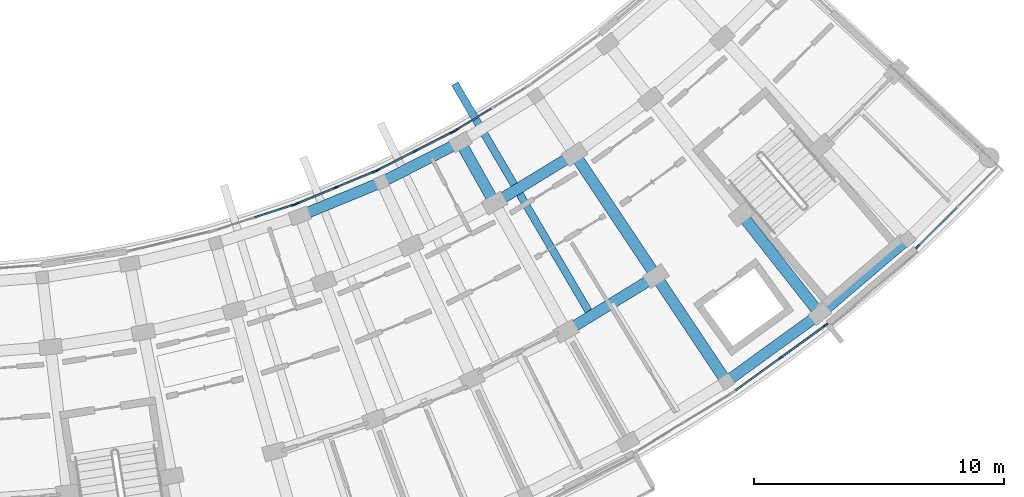
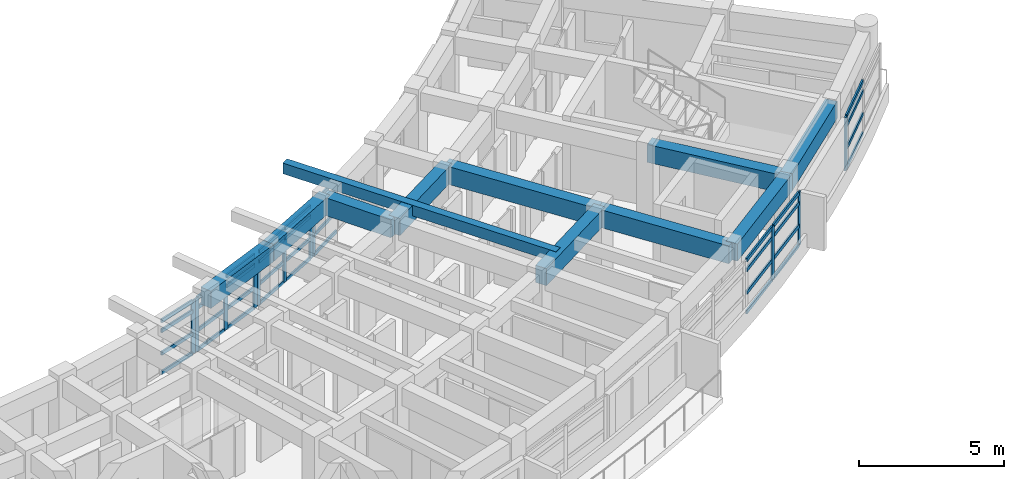
# One storey, part 29 of 70: 47 members, 11 beams, 6 elements without a shape of their own.
"""IFC4 building model written with IfcOpenShell, lengths in metres."""

import ifcopenshell
import ifcopenshell.guid

model = None  # the IFC model being written
_history = None  # IfcOwnerHistory: only IFC2X3 demands one
_inside = {}  # id of a spatial element -> (the spatial element, [elements in it])
_under = {}  # id of a project, library or spatial element -> (it, [spatial elements below it])
_declared = {}  # id of a project -> (the project, [libraries it declares])
_typed = {}  # id of a type object -> (the type object, [elements of that type])
_made_of = {}  # id of a material, layer set ... -> (it, [elements and type objects made of it])


def new_model(schema):
    """Start an empty IFC model of exactly this schema.

    Asked for "IFC4X3", IfcOpenShell would pick the latest addendum, in which some entities
    have other attributes; the version numbers below select the first issue.
    IFC2X3 requires an IfcOwnerHistory on every rooted entity: one is made here for all.
    """
    global model, _history
    if schema == "IFC4X3":
        model = ifcopenshell.file(schema_version=(4, 3, 0, 0))
    else:
        model = ifcopenshell.file(schema=schema)
    _inside.clear()
    _under.clear()
    _declared.clear()
    _typed.clear()
    _made_of.clear()
    _history = None
    if model.schema == "IFC2X3":
        org = make("IfcOrganization", Name="unknown")
        user = make(
            "IfcPersonAndOrganization",
            ThePerson=make("IfcPerson", FamilyName="unknown"),
            TheOrganization=org,
        )
        app = make(
            "IfcApplication",
            ApplicationDeveloper=org,
            Version="unknown",
            ApplicationFullName="unknown",
            ApplicationIdentifier="unknown",
        )
        _history = make(
            "IfcOwnerHistory",
            OwningUser=user,
            OwningApplication=app,
            ChangeAction="ADDED",
            CreationDate=0,
        )
    return model


def make(cls, **values):
    """One entity of the class cls with the attributes given. An attribute that is None is left unset."""
    return model.create_entity(
        cls, **{name: value for name, value in values.items() if value is not None}
    )


def rooted(cls, **values):
    """An entity with a GlobalId (a new one), such as an element, a storey or a relation."""
    return make(cls, GlobalId=ifcopenshell.guid.new(), OwnerHistory=_history, **values)


def si_unit(unit_type, name, prefix=None):
    """IfcSIUnit, for example si_unit("LENGTHUNIT", "METRE", prefix="MILLI")."""
    return make("IfcSIUnit", UnitType=unit_type, Prefix=prefix, Name=name)


def assignment(units):
    """IfcUnitAssignment: the units of a project."""
    return None if units is None else make("IfcUnitAssignment", Units=units)


def point(xyz):
    """IfcCartesianPoint."""
    return None if xyz is None else make("IfcCartesianPoint", Coordinates=xyz)


def direction(xyz):
    """IfcDirection."""
    return None if xyz is None else make("IfcDirection", DirectionRatios=xyz)


def frame(location, z_axis=None, x_axis=None):
    """IfcAxis2Placement3D, a coordinate frame: its origin and axes. An axis left out is left unset."""
    return make(
        "IfcAxis2Placement3D",
        Location=point(location),
        Axis=direction(z_axis),
        RefDirection=direction(x_axis),
    )


def frame_2d(location, x_axis=None):
    """IfcAxis2Placement2D, a coordinate frame in the plane: its origin and x axis."""
    return make(
        "IfcAxis2Placement2D", Location=point(location), RefDirection=direction(x_axis)
    )


def origin():
    """The frame at (0, 0, 0) with its axes left unset."""
    return frame((0.0, 0.0, 0.0))


def origin_2d():
    """The frame at (0, 0) in the plane with its x axis left unset."""
    return frame_2d((0.0, 0.0))


def place(relative_to, where):
    """IfcLocalPlacement: puts the frame where relative to a parent placement (None: the world)."""
    return make(
        "IfcLocalPlacement", PlacementRelTo=relative_to, RelativePlacement=where
    )


def context(
    kind, dimensions, precision=None, world=None, true_north=None, identifier=None
):
    """IfcGeometricRepresentationContext, for example the 3D "Model" context."""
    return make(
        "IfcGeometricRepresentationContext",
        ContextIdentifier=identifier,
        ContextType=kind,
        CoordinateSpaceDimension=dimensions,
        Precision=precision,
        WorldCoordinateSystem=world,
        TrueNorth=true_north,
    )


def subcontext(parent, identifier, kind, view, scale=None):
    """IfcGeometricRepresentationSubContext, for example "Body" below "Model"."""
    return make(
        "IfcGeometricRepresentationSubContext",
        ContextIdentifier=identifier,
        ContextType=kind,
        ParentContext=parent,
        TargetScale=scale,
        TargetView=view,
    )


def project(units=None, contexts=None):
    """IfcProject with its units and contexts."""
    return rooted(
        "IfcProject",
        Name="project",
        RepresentationContexts=contexts,
        UnitsInContext=assignment(units),
    )


def spatial(cls, under=None, at=None, **own):
    """A site, building, storey or space (cls), placed at a placement, below another one or the project."""
    s = rooted(cls, ObjectPlacement=at, **own)
    if under is not None:
        _under.setdefault(under.id(), (under, []))[1].append(s)
    return s


def profile(cls, at=None, kind="AREA", **sizes):
    """A parametric profile (cls). Its sizes go by their IFC names, for example OverallWidth=200.0."""
    return make(cls, ProfileType=kind, Position=at, **sizes)


def rectangle(**sizes):
    """IfcRectangleProfileDef."""
    return profile("IfcRectangleProfileDef", **sizes)


def extrude(swept, where, along, depth):
    """IfcExtrudedAreaSolid: the profile swept, set in the frame where, extruded along a direction by depth."""
    return make(
        "IfcExtrudedAreaSolid",
        SweptArea=swept,
        Position=where,
        ExtrudedDirection=direction(along),
        Depth=depth,
    )


def shape(context_of_items, identifier, shape_type, items):
    """IfcShapeRepresentation: the items that make up one representation, for example the "Body"."""
    return make(
        "IfcShapeRepresentation",
        ContextOfItems=context_of_items,
        RepresentationIdentifier=identifier,
        RepresentationType=shape_type,
        Items=items,
    )


def material(Name=None, Category=None):
    """IfcMaterial."""
    return make("IfcMaterial", Name=Name, Category=Category)


def material_profile(
    of_material, cross_section, Name=None, Category=None, Priority=None
):
    """IfcMaterialProfile: a cross section and its material."""
    return make(
        "IfcMaterialProfile",
        Name=Name,
        Material=of_material,
        Profile=cross_section,
        Priority=Priority,
        Category=Category,
    )


def profile_set(profiles, Name=None, composite=None):
    """IfcMaterialProfileSet."""
    return make(
        "IfcMaterialProfileSet",
        Name=Name,
        MaterialProfiles=profiles,
        CompositeProfile=composite,
    )


def made_of(thing, what):
    """Note that an element or type object is made of a material, layer set ...; save() writes the relation."""
    if what is not None:
        _made_of.setdefault(what.id(), (what, []))[1].append(thing)
    return thing


def type_object(cls, material=None, **own):
    """A type object (cls), such as IfcWallType, which elements share."""
    return made_of(rooted(cls, **own), material)


def element(
    cls,
    number,
    at=None,
    inside=None,
    cuts=None,
    type_object=None,
    material=None,
    context=None,
    identifier="Body",
    shape_type=None,
    held_by="IfcProductDefinitionShape",
    body=None,
    shapes=None,
    **own,
):
    """One element of the class cls, such as IfcWall. Its Tag is "e" and its number.

    at: its placement. inside: the storey or other place that contains it. cuts: it is an
    opening in that element (IfcRelVoidsElement). A single representation is given by context,
    identifier, shape_type and body (its items); several are given by shapes. held_by: the class
    of the entity that holds the representations. save() writes the other relations.
    """
    e = rooted(cls, Tag="e%d" % number, ObjectPlacement=at, **own)
    if body is not None:
        shapes = [shape(context, identifier, shape_type, body)]
    if shapes is not None:
        e.Representation = make(held_by, Representations=shapes)
    if inside is not None:
        _inside.setdefault(inside.id(), (inside, []))[1].append(e)
    if cuts is not None:
        rooted(
            "IfcRelVoidsElement", RelatingBuildingElement=cuts, RelatedOpeningElement=e
        )
    if type_object is not None:
        _typed.setdefault(type_object.id(), (type_object, []))[1].append(e)
    return made_of(e, material)


def aggregate(whole, parts):
    """IfcRelAggregates: a whole, such as a stair, and the parts it consists of."""
    return rooted("IfcRelAggregates", RelatingObject=whole, RelatedObjects=parts)


def save(model, path):
    """Write the relations noted so far, then the file.

    IfcRelAggregates (storeys below a building ...), IfcRelContainedInSpatialStructure (elements
    in a storey), IfcRelDefinesByType, IfcRelAssociatesMaterial and IfcRelDeclares: one each for
    every whole, place, type object, material and project.
    """
    for whole, parts in _under.values():
        aggregate(whole, parts)
    for where, things in _inside.values():
        rooted(
            "IfcRelContainedInSpatialStructure",
            RelatedElements=things,
            RelatingStructure=where,
        )
    for kind, things in _typed.values():
        rooted("IfcRelDefinesByType", RelatedObjects=things, RelatingType=kind)
    for what, things in _made_of.values():
        rooted("IfcRelAssociatesMaterial", RelatedObjects=things, RelatingMaterial=what)
    for by, libraries in _declared.values():
        rooted("IfcRelDeclares", RelatingContext=by, RelatedDefinitions=libraries)
    model.write(path)


model = new_model("IFC4")

# Units and contexts
model_context = context("Model", 3, precision=1e-05, world=origin(), true_north=direction((0.0, 1.0)))
body_context = subcontext(model_context, "Body", "Model", "MODEL_VIEW")
ifc_project = project(units=[si_unit("LENGTHUNIT", "METRE"), si_unit("AREAUNIT", "SQUARE_METRE"), si_unit("VOLUMEUNIT", "CUBIC_METRE"), si_unit("PLANEANGLEUNIT", "RADIAN"), si_unit("MASSUNIT", "GRAM", prefix="KILO")], contexts=[model_context])

# Site, building, storey
site_placement = place(None, origin())
site = spatial("IfcSite", under=ifc_project, at=site_placement, CompositionType="ELEMENT")
building_placement = place(site_placement, origin())
building = spatial("IfcBuilding", under=site, at=building_placement, Name="Zimvara Arc Housing Community", CompositionType="ELEMENT")
storey_placement = place(building_placement, frame((0.0, 0.0, 8.10009765625)))
storey = spatial("IfcBuildingStorey", under=building, at=storey_placement, Name="L02", CompositionType="ELEMENT", Elevation=8.10009765625)

# Beams
ifc_material_1 = material(Name="Concrete C40/50", Category="concrete")
ifc_material_profile_1 = material_profile(ifc_material_1, rectangle(XDim=0.300048828125, YDim=0.449951171875, at=origin_2d()), Name="RC 300x450")
ifc_profile_set_1 = profile_set([ifc_material_profile_1], Name="Concrete C40/50")
beam_type_1 = type_object("IfcBeamType", Name="BM-RC-300x450", PredefinedType="JOIST", material=ifc_profile_set_1)
beam_1_placement = place(storey_placement, frame((153.253173828125, 63.4853515625, 2.664794921875), z_axis=(-0.506940252116, 0.861981195146, 0.0), x_axis=(-0.861981195146, -0.506940252116, 0.0)))
element("IfcBeam", 1, at=beam_1_placement, inside=storey, type_object=beam_type_1, Name="bm:blkD:L02:cant_in:b6", PredefinedType="JOIST", context=body_context, shape_type="SweptSolid", body=[
    extrude(rectangle(XDim=0.300048828125, YDim=0.449951171875, at=origin_2d()), origin(), (0.0, 0.0, 1.0), 10.820068359375),
])
ifc_material_2 = material(Name="Concrete C40/50", Category="concrete")
ifc_material_profile_2 = material_profile(ifc_material_2, rectangle(XDim=0.43994140625, YDim=0.719970703125, at=origin_2d()), Name="RC 440x720")
ifc_profile_set_2 = profile_set([ifc_material_profile_2], Name="Concrete C40/50")
beam_type_2 = type_object("IfcBeamType", Name="BM-RC-440x720", PredefinedType="BEAM", material=ifc_profile_set_2)
beam_2_placement = place(storey_placement, frame((141.559814453125, 67.51513671875, 2.52001953125), z_axis=(0.924206445561, 0.381893238987, 0.0), x_axis=(-0.381893238987, 0.924206445561, 0.0)))
element("IfcBeam", 2, at=beam_2_placement, inside=storey, type_object=beam_type_2, Name="bm:blkD:L02:chord:r0:b4", PredefinedType="BEAM", context=body_context, shape_type="SweptSolid", body=[
    extrude(rectangle(XDim=0.43994140625, YDim=0.719970703125, at=origin_2d()), origin(), (0.0, 0.0, 1.0), 3.54296875),
])
beam_3_placement = place(storey_placement, frame((144.834228515625, 68.8681640625, 2.52001953125), z_axis=(0.891388433472, 0.453240179895, 0.0), x_axis=(-0.453240179895, 0.891388433472, 0.0)))
element("IfcBeam", 3, at=beam_3_placement, inside=storey, type_object=beam_type_2, Name="bm:blkD:L02:chord:r0:b5", PredefinedType="BEAM", context=body_context, shape_type="SweptSolid", body=[
    extrude(rectangle(XDim=0.43994140625, YDim=0.719970703125, at=origin_2d()), origin(), (0.0, 0.0, 1.0), 3.542724609375),
])
beam_4_placement = place(storey_placement, frame((149.358154296875, 68.029541015625, 2.52001953125), z_axis=(0.853105356478, 0.521738680517, 0.0), x_axis=(-0.521738680517, 0.853105356478, 0.0)))
element("IfcBeam", 4, at=beam_4_placement, inside=storey, type_object=beam_type_2, Name="bm:blkD:L02:chord:r1:b6", PredefinedType="BEAM", context=body_context, shape_type="SweptSolid", body=[
    extrude(rectangle(XDim=0.43994140625, YDim=0.719970703125, at=origin_2d()), origin(), (0.0, 0.0, 1.0), 3.7626953125),
])
beam_5_placement = place(storey_placement, frame((152.226806640625, 62.896728515625, 2.52001953125), z_axis=(0.853091772331, 0.521760891579, 0.0), x_axis=(-0.521760891579, 0.853091772331, 0.0)))
element("IfcBeam", 5, at=beam_5_placement, inside=storey, type_object=beam_type_2, Name="bm:blkD:L02:chord:r2:b6", PredefinedType="BEAM", context=body_context, shape_type="SweptSolid", body=[
    extrude(rectangle(XDim=0.43994140625, YDim=0.719970703125, at=origin_2d()), origin(), (0.0, 0.0, 1.0), 4.224365234375),
])
for number, where, z_axis, x_axis, name in (
    (6, (158.649169921875, 60.87451171875, 2.52001953125), (0.809516329672, 0.587097361598, 0.0), (-0.587097361598, 0.809516329672, 0.0), "bm:blkD:L02:chord:r3:b7"),
    (7, (162.391845703125, 63.5888671875, 2.52001953125), (0.761009534972, 0.648740693715, 0.0), (-0.648740693715, 0.761009534972, 0.0), "bm:blkD:L02:chord:r3:b8"),
):
    element("IfcBeam", number, at=place(storey_placement, frame(where, z_axis=z_axis, x_axis=x_axis)), inside=storey, type_object=beam_type_2, Name=name, PredefinedType="BEAM", context=body_context, shape_type="SweptSolid", body=[
        extrude(rectangle(XDim=0.43994140625, YDim=0.719970703125, at=origin_2d()), origin(), (0.0, 0.0, 1.0), 4.623291015625),
    ])
ifc_material_3 = material(Name="Concrete C40/50", Category="concrete")
ifc_material_profile_3 = material_profile(ifc_material_3, rectangle(XDim=0.449951171875, YDim=0.75, at=origin_2d()), Name="RC 450x750")
ifc_profile_set_3 = profile_set([ifc_material_profile_3], Name="Concrete C40/50")
beam_type_3 = type_object("IfcBeamType", Name="BM-RC-450x750", PredefinedType="BEAM", material=ifc_profile_set_3)
beam_6_placement = place(storey_placement, frame((147.9921875, 70.473876953125, 2.5048828125), z_axis=(0.487825265957, -0.87294129808, 0.0), x_axis=(0.87294129808, 0.487825265957, 0.0)))
element("IfcBeam", 8, at=beam_6_placement, inside=storey, type_object=beam_type_3, Name="bm:blkD:L02:rad:b6:r01", PredefinedType="BEAM", context=body_context, shape_type="SweptSolid", body=[
    extrude(rectangle(XDim=0.449951171875, YDim=0.75, at=origin_2d()), origin(), (0.0, 0.0, 1.0), 2.800048828125),
])
beam_7_placement = place(storey_placement, frame((152.568115234375, 69.99267578125, 2.5048828125), z_axis=(0.554843914175, -0.831954464441, 0.0), x_axis=(0.831954464441, 0.554843914175, 0.0)))
element("IfcBeam", 9, at=beam_7_placement, inside=storey, type_object=beam_type_3, Name="bm:blkD:L02:rad:b7:r12", PredefinedType="BEAM", context=body_context, shape_type="SweptSolid", body=[
    extrude(rectangle(XDim=0.449951171875, YDim=0.75, at=origin_2d()), origin(), (0.0, 0.0, 1.0), 5.8798828125),
])
beam_8_placement = place(storey_placement, frame((155.83056640625, 65.100830078125, 2.5048828125), z_axis=(0.554844365732, -0.83195416329, 0.0), x_axis=(0.83195416329, 0.554844365732, 0.0)))
element("IfcBeam", 10, at=beam_8_placement, inside=storey, type_object=beam_type_3, Name="bm:blkD:L02:rad:b7:r23", PredefinedType="BEAM", context=body_context, shape_type="SweptSolid", body=[
    extrude(rectangle(XDim=0.449951171875, YDim=0.75, at=origin_2d()), origin(), (0.0, 0.0, 1.0), 5.080078125),
])
beam_9_placement = place(storey_placement, frame((159.25048828125, 67.580810546875, 2.5048828125), z_axis=(0.618409338539, -0.785856150964, 0.0), x_axis=(0.785856150964, 0.618409338539, 0.0)))
element("IfcBeam", 11, at=beam_9_placement, inside=storey, type_object=beam_type_3, Name="bm:blkD:L02:rad:b8:r23", PredefinedType="BEAM", context=body_context, shape_type="SweptSolid", body=[
    extrude(rectangle(XDim=0.449951171875, YDim=0.75, at=origin_2d()), origin(), (0.0, 0.0, 1.0), 5.079833984375),
])

# Curtain wall, members
ifc_material_4 = material(Name="Anodised Aluminium AW-6063", Category="aluminium")
curtain_wall_type_1 = type_object("IfcCurtainWallType", Name="CW-SYS-04", PredefinedType="USERDEFINED", material=ifc_material_4)
curtain_wall_1_placement = place(storey_placement, origin())
curtain_wall_1 = element("IfcCurtainWall", 12, at=curtain_wall_1_placement, inside=storey, type_object=curtain_wall_type_1, Name="cw:blkD:L02:in:b5", ObjectType="CURTAIN WALL", PredefinedType="USERDEFINED")
ifc_material_5 = material(Name="Anodised Aluminium AW-6063", Category="aluminium")
ifc_material_profile_4 = material_profile(ifc_material_5, rectangle(XDim=0.06494140625, YDim=0.179931640625, at=origin_2d()), Name="ALU 65x180")
ifc_profile_set_4 = profile_set([ifc_material_profile_4], Name="Anodised Aluminium AW-6063")
member_type_1 = type_object("IfcMemberType", Name="CWM-65x150", PredefinedType="MULLION", material=ifc_profile_set_4)
member_1_placement = place(storey_placement, frame((144.707763671875, 69.3642578125, 0.0), z_axis=(0.0, 0.0, 1.0), x_axis=(-0.453211411267, 0.89140306074, 0.0)))
member_1 = element("IfcMember", 13, at=member_1_placement, type_object=member_type_1, Name="CW04 mullion 1", PredefinedType="MULLION", context=body_context, shape_type="SweptSolid", body=[
    extrude(rectangle(XDim=0.06494140625, YDim=0.179931640625, at=origin_2d()), origin(), (0.0, 0.0, 1.0), 2.25),
])
member_2_placement = place(storey_placement, frame((146.186767578125, 70.1162109375, 0.0), z_axis=(0.0, 0.0, 1.0), x_axis=(-0.453211411267, 0.89140306074, 0.0)))
member_2 = element("IfcMember", 14, at=member_2_placement, type_object=member_type_1, Name="CW04 mullion 2", PredefinedType="MULLION", context=body_context, shape_type="SweptSolid", body=[
    extrude(rectangle(XDim=0.06494140625, YDim=0.179931640625, at=origin_2d()), origin(), (0.0, 0.0, 1.0), 2.25),
])
member_3_placement = place(storey_placement, frame((147.665771484375, 70.868408203125, 0.0), z_axis=(0.0, 0.0, 1.0), x_axis=(-0.453211411267, 0.89140306074, 0.0)))
member_3 = element("IfcMember", 15, at=member_3_placement, type_object=member_type_1, Name="CW04 mullion 3", PredefinedType="MULLION", context=body_context, shape_type="SweptSolid", body=[
    extrude(rectangle(XDim=0.06494140625, YDim=0.179931640625, at=origin_2d()), origin(), (0.0, 0.0, 1.0), 2.25),
])

# Curtain wall, member
ifc_material_6 = material(Name="Anodised Aluminium AW-6063", Category="aluminium")
curtain_wall_type_2 = type_object("IfcCurtainWallType", Name="CW-SYS-06", PredefinedType="USERDEFINED", material=ifc_material_6)
curtain_wall_2_placement = place(storey_placement, origin())
curtain_wall_2 = element("IfcCurtainWall", 16, at=curtain_wall_2_placement, inside=storey, type_object=curtain_wall_type_2, Name="cw:blkD:L02:in:b6", ObjectType="CURTAIN WALL", PredefinedType="USERDEFINED")
member_4_placement = place(storey_placement, frame((147.8271484375, 70.95849609375, 0.0), z_axis=(0.0, 0.0, 1.0), x_axis=(-0.521754224526, 0.853095849943, 0.0)))
member_4 = element("IfcMember", 17, at=member_4_placement, type_object=member_type_1, Name="CW06 mullion 1", PredefinedType="MULLION", context=body_context, shape_type="SweptSolid", body=[
    extrude(rectangle(XDim=0.06494140625, YDim=0.179931640625, at=origin_2d()), origin(), (0.0, 0.0, 1.0), 2.25),
])

ifc_material_7 = material(Name="Anodised Aluminium AW-6063", Category="aluminium")
curtain_wall_type_3 = type_object("IfcCurtainWallType", Name="CW-SYS-01", PredefinedType="USERDEFINED", material=ifc_material_7)
curtain_wall_3_placement = place(storey_placement, origin())
curtain_wall_3 = element("IfcCurtainWall", 18, at=curtain_wall_3_placement, inside=storey, type_object=curtain_wall_type_3, Name="cw:blkD:L02:in:b3", ObjectType="CURTAIN WALL", PredefinedType="USERDEFINED")
ifc_material_8 = material(Name="Anodised Aluminium AW-6063", Category="aluminium")
ifc_material_profile_5 = material_profile(ifc_material_8, rectangle(XDim=0.06494140625, YDim=0.195068359375, at=origin_2d()), Name="ALU 65x195")
ifc_profile_set_5 = profile_set([ifc_material_profile_5], Name="Anodised Aluminium AW-6063")
member_type_2 = type_object("IfcMemberType", Name="CWM-65x180", PredefinedType="MULLION", material=ifc_profile_set_5)
member_5_placement = place(storey_placement, frame((141.29931640625, 67.9560546875, 0.0), z_axis=(0.0, 0.0, 1.0), x_axis=(-0.308185223559, 0.951326373008, 0.0)))
member_5 = element("IfcMember", 19, at=member_5_placement, type_object=member_type_2, Name="CW01 mullion 3", PredefinedType="MULLION", context=body_context, shape_type="SweptSolid", body=[
    extrude(rectangle(XDim=0.06494140625, YDim=0.195068359375, at=origin_2d()), origin(), (0.0, 0.0, 1.0), 2.25),
])

# Curtain wall, members
ifc_material_9 = material(Name="Anodised Aluminium AW-6063", Category="aluminium")
curtain_wall_type_4 = type_object("IfcCurtainWallType", Name="CW-SYS-03", PredefinedType="USERDEFINED", material=ifc_material_9)
curtain_wall_4_placement = place(storey_placement, origin())
curtain_wall_4 = element("IfcCurtainWall", 20, at=curtain_wall_4_placement, inside=storey, type_object=curtain_wall_type_4, Name="cw:blkD:L02:in:b4", ObjectType="CURTAIN WALL", PredefinedType="USERDEFINED")
member_6_placement = place(storey_placement, frame((141.47265625, 68.019775390625, 0.0), z_axis=(0.0, 0.0, 1.0), x_axis=(-0.381877167728, 0.924213086235, 0.0)))
member_6 = element("IfcMember", 21, at=member_6_placement, type_object=member_type_2, Name="CW03 mullion 1", PredefinedType="MULLION", context=body_context, shape_type="SweptSolid", body=[
    extrude(rectangle(XDim=0.06494140625, YDim=0.195068359375, at=origin_2d()), origin(), (0.0, 0.0, 1.0), 2.25),
])
member_7_placement = place(storey_placement, frame((143.006103515625, 68.6533203125, 0.0), z_axis=(0.0, 0.0, 1.0), x_axis=(-0.381877167728, 0.924213086235, 0.0)))
member_7 = element("IfcMember", 22, at=member_7_placement, type_object=member_type_2, Name="CW03 mullion 2", PredefinedType="MULLION", context=body_context, shape_type="SweptSolid", body=[
    extrude(rectangle(XDim=0.06494140625, YDim=0.195068359375, at=origin_2d()), origin(), (0.0, 0.0, 1.0), 2.25),
])
member_8_placement = place(storey_placement, frame((144.539794921875, 69.287109375, 0.0), z_axis=(0.0, 0.0, 1.0), x_axis=(-0.381877167728, 0.924213086235, 0.0)))
member_8 = element("IfcMember", 23, at=member_8_placement, type_object=member_type_2, Name="CW03 mullion 3", PredefinedType="MULLION", context=body_context, shape_type="SweptSolid", body=[
    extrude(rectangle(XDim=0.06494140625, YDim=0.195068359375, at=origin_2d()), origin(), (0.0, 0.0, 1.0), 2.25),
])

ifc_material_10 = material(Name="Anodised Aluminium AW-6063", Category="aluminium")
curtain_wall_type_5 = type_object("IfcCurtainWallType", Name="CW-SYS-07", PredefinedType="USERDEFINED", material=ifc_material_10)
curtain_wall_5_placement = place(storey_placement, origin())
curtain_wall_5 = element("IfcCurtainWall", 24, at=curtain_wall_5_placement, inside=storey, type_object=curtain_wall_type_5, Name="cw:blkD:L02:out:b7", ObjectType="CURTAIN WALL", PredefinedType="USERDEFINED")
member_9_placement = place(storey_placement, frame((160.81396484375, 61.8271484375, 0.0), z_axis=(0.0, 0.0, 1.0), x_axis=(-0.587077917196, 0.809530431263, 0.0)))
member_9 = element("IfcMember", 25, at=member_9_placement, type_object=member_type_2, Name="CW07 mullion 2", PredefinedType="MULLION", context=body_context, shape_type="SweptSolid", body=[
    extrude(rectangle(XDim=0.06494140625, YDim=0.195068359375, at=origin_2d()), origin(), (0.0, 0.0, 1.0), 2.25),
])
member_10_placement = place(storey_placement, frame((162.626220703125, 63.1416015625, 0.0), z_axis=(0.0, 0.0, 1.0), x_axis=(-0.587077917196, 0.809530431263, 0.0)))
member_10 = element("IfcMember", 26, at=member_10_placement, type_object=member_type_2, Name="CW07 mullion 3", PredefinedType="MULLION", context=body_context, shape_type="SweptSolid", body=[
    extrude(rectangle(XDim=0.06494140625, YDim=0.195068359375, at=origin_2d()), origin(), (0.0, 0.0, 1.0), 2.25),
])

# Curtain wall, member
curtain_wall_6_placement = place(storey_placement, origin())
curtain_wall_6 = element("IfcCurtainWall", 27, at=curtain_wall_6_placement, inside=storey, type_object=curtain_wall_type_3, Name="cw:blkD:L02:out:b9", ObjectType="CURTAIN WALL", PredefinedType="USERDEFINED")
member_11_placement = place(storey_placement, frame((166.314697265625, 66.2861328125, 0.0), z_axis=(0.0, 0.0, 1.0), x_axis=(-0.706489010891, 0.707724012233, 0.0)))
member_11 = element("IfcMember", 28, at=member_11_placement, type_object=member_type_2, Name="CW01 mullion 1", PredefinedType="MULLION", context=body_context, shape_type="SweptSolid", body=[
    extrude(rectangle(XDim=0.06494140625, YDim=0.195068359375, at=origin_2d()), origin(), (0.0, 0.0, 1.0), 2.25),
])

# Member
ifc_material_11 = material(Name="Anodised Aluminium AW-6063", Category="aluminium")
ifc_material_profile_6 = material_profile(ifc_material_11, rectangle(XDim=0.06494140625, YDim=0.139892578125, at=origin_2d()), Name="ALU 65x140")
ifc_profile_set_6 = profile_set([ifc_material_profile_6], Name="Anodised Aluminium AW-6063")
member_type_3 = type_object("IfcMemberType", Name="CWT-65x120", PredefinedType="USERDEFINED", material=ifc_profile_set_6)
member_12_placement = place(storey_placement, frame((144.736572265625, 69.37890625, 0.032470703125), z_axis=(0.891374643948, 0.453267298761, 0.0), x_axis=(-0.453267298761, 0.891374643948, 0.0)))
member_12 = element("IfcMember", 29, at=member_12_placement, type_object=member_type_3, Name="CW04 transom 1.1", ObjectType="TRANSOM", PredefinedType="USERDEFINED", context=body_context, shape_type="SweptSolid", body=[
    extrude(rectangle(XDim=0.06494140625, YDim=0.139892578125, at=origin_2d()), origin(), (0.0, 0.0, 1.0), 1.59423828125),
])

member_13_placement = place(storey_placement, frame((144.736572265625, 69.37890625, 0.849853515625), z_axis=(0.891374643948, 0.453267298761, 0.0), x_axis=(-0.453267298761, 0.891374643948, 0.0)))
member_13 = element("IfcMember", 30, at=member_13_placement, type_object=member_type_3, Name="CW04 transom 1.2", ObjectType="TRANSOM", PredefinedType="USERDEFINED", context=body_context, shape_type="SweptSolid", body=[
    extrude(rectangle(XDim=0.06494140625, YDim=0.139892578125, at=origin_2d()), origin(), (0.0, 0.0, 1.0), 1.59423828125),
])

member_14_placement = place(storey_placement, frame((144.736572265625, 69.37890625, 1.7998046875), z_axis=(0.891374643948, 0.453267298761, 0.0), x_axis=(-0.453267298761, 0.891374643948, 0.0)))
member_14 = element("IfcMember", 31, at=member_14_placement, type_object=member_type_3, Name="CW04 transom 1.3", ObjectType="TRANSOM", PredefinedType="USERDEFINED", context=body_context, shape_type="SweptSolid", body=[
    extrude(rectangle(XDim=0.06494140625, YDim=0.139892578125, at=origin_2d()), origin(), (0.0, 0.0, 1.0), 1.59423828125),
])

member_15_placement = place(storey_placement, frame((144.736572265625, 69.37890625, 2.21728515625), z_axis=(0.891374643948, 0.453267298761, 0.0), x_axis=(-0.453267298761, 0.891374643948, 0.0)))
member_15 = element("IfcMember", 32, at=member_15_placement, type_object=member_type_3, Name="CW04 transom 1.4", ObjectType="TRANSOM", PredefinedType="USERDEFINED", context=body_context, shape_type="SweptSolid", body=[
    extrude(rectangle(XDim=0.06494140625, YDim=0.139892578125, at=origin_2d()), origin(), (0.0, 0.0, 1.0), 1.59423828125),
])

member_16_placement = place(storey_placement, frame((146.2158203125, 70.131103515625, 0.032470703125), z_axis=(0.891436509542, 0.453145616172, 0.0), x_axis=(-0.453145616172, 0.891436509542, 0.0)))
member_16 = element("IfcMember", 33, at=member_16_placement, type_object=member_type_3, Name="CW04 transom 2.1", ObjectType="TRANSOM", PredefinedType="USERDEFINED", context=body_context, shape_type="SweptSolid", body=[
    extrude(rectangle(XDim=0.06494140625, YDim=0.139892578125, at=origin_2d()), origin(), (0.0, 0.0, 1.0), 1.59423828125),
])

member_17_placement = place(storey_placement, frame((146.2158203125, 70.131103515625, 0.849853515625), z_axis=(0.891436509542, 0.453145616172, 0.0), x_axis=(-0.453145616172, 0.891436509542, 0.0)))
member_17 = element("IfcMember", 34, at=member_17_placement, type_object=member_type_3, Name="CW04 transom 2.2", ObjectType="TRANSOM", PredefinedType="USERDEFINED", context=body_context, shape_type="SweptSolid", body=[
    extrude(rectangle(XDim=0.06494140625, YDim=0.139892578125, at=origin_2d()), origin(), (0.0, 0.0, 1.0), 1.59423828125),
])

member_18_placement = place(storey_placement, frame((146.2158203125, 70.131103515625, 1.7998046875), z_axis=(0.891436509542, 0.453145616172, 0.0), x_axis=(-0.453145616172, 0.891436509542, 0.0)))
member_18 = element("IfcMember", 35, at=member_18_placement, type_object=member_type_3, Name="CW04 transom 2.3", ObjectType="TRANSOM", PredefinedType="USERDEFINED", context=body_context, shape_type="SweptSolid", body=[
    extrude(rectangle(XDim=0.06494140625, YDim=0.139892578125, at=origin_2d()), origin(), (0.0, 0.0, 1.0), 1.59423828125),
])

member_19_placement = place(storey_placement, frame((146.2158203125, 70.131103515625, 2.21728515625), z_axis=(0.891436509542, 0.453145616172, 0.0), x_axis=(-0.453145616172, 0.891436509542, 0.0)))
member_19 = element("IfcMember", 36, at=member_19_placement, type_object=member_type_3, Name="CW04 transom 2.4", ObjectType="TRANSOM", PredefinedType="USERDEFINED", context=body_context, shape_type="SweptSolid", body=[
    extrude(rectangle(XDim=0.06494140625, YDim=0.139892578125, at=origin_2d()), origin(), (0.0, 0.0, 1.0), 1.59423828125),
])

aggregate(curtain_wall_1, [member_1, member_2, member_3, member_12, member_13, member_14, member_15, member_16, member_17, member_18, member_19])

member_20_placement = place(storey_placement, frame((147.85498046875, 70.975341796875, 0.032470703125), z_axis=(0.853043286851, 0.521840158246, 0.0), x_axis=(-0.521840158246, 0.853043286851, 0.0)))
member_20 = element("IfcMember", 37, at=member_20_placement, type_object=member_type_3, Name="CW06 transom 1.1", ObjectType="TRANSOM", PredefinedType="USERDEFINED", context=body_context, shape_type="SweptSolid", body=[
    extrude(rectangle(XDim=0.06494140625, YDim=0.139892578125, at=origin_2d()), origin(), (0.0, 0.0, 1.0), 1.594482421875),
])

member_21_placement = place(storey_placement, frame((147.85498046875, 70.975341796875, 0.849853515625), z_axis=(0.853043286851, 0.521840158246, 0.0), x_axis=(-0.521840158246, 0.853043286851, 0.0)))
member_21 = element("IfcMember", 38, at=member_21_placement, type_object=member_type_3, Name="CW06 transom 1.2", ObjectType="TRANSOM", PredefinedType="USERDEFINED", context=body_context, shape_type="SweptSolid", body=[
    extrude(rectangle(XDim=0.06494140625, YDim=0.139892578125, at=origin_2d()), origin(), (0.0, 0.0, 1.0), 1.594482421875),
])

member_22_placement = place(storey_placement, frame((147.85498046875, 70.975341796875, 1.7998046875), z_axis=(0.853043286851, 0.521840158246, 0.0), x_axis=(-0.521840158246, 0.853043286851, 0.0)))
member_22 = element("IfcMember", 39, at=member_22_placement, type_object=member_type_3, Name="CW06 transom 1.3", ObjectType="TRANSOM", PredefinedType="USERDEFINED", context=body_context, shape_type="SweptSolid", body=[
    extrude(rectangle(XDim=0.06494140625, YDim=0.139892578125, at=origin_2d()), origin(), (0.0, 0.0, 1.0), 1.594482421875),
])

member_23_placement = place(storey_placement, frame((147.85498046875, 70.975341796875, 2.21728515625), z_axis=(0.853043286851, 0.521840158246, 0.0), x_axis=(-0.521840158246, 0.853043286851, 0.0)))
member_23 = element("IfcMember", 40, at=member_23_placement, type_object=member_type_3, Name="CW06 transom 1.4", ObjectType="TRANSOM", PredefinedType="USERDEFINED", context=body_context, shape_type="SweptSolid", body=[
    extrude(rectangle(XDim=0.06494140625, YDim=0.139892578125, at=origin_2d()), origin(), (0.0, 0.0, 1.0), 1.594482421875),
])

aggregate(curtain_wall_2, [member_4, member_20, member_21, member_22, member_23])

ifc_material_12 = material(Name="Anodised Aluminium AW-6063", Category="aluminium")
ifc_material_profile_7 = material_profile(ifc_material_12, rectangle(XDim=0.06494140625, YDim=0.155029296875, at=origin_2d()), Name="ALU 65x155")
ifc_profile_set_7 = profile_set([ifc_material_profile_7], Name="Anodised Aluminium AW-6063")
member_type_4 = type_object("IfcMemberType", Name="CWT-65x140", PredefinedType="USERDEFINED", material=ifc_profile_set_7)
member_24_placement = place(storey_placement, frame((139.751708984375, 67.45458984375, 0.032470703125), z_axis=(0.951344209493, 0.308130159289, 0.0), x_axis=(-0.308130159289, 0.951344209493, 0.0)))
member_24 = element("IfcMember", 41, at=member_24_placement, type_object=member_type_4, Name="CW01 transom 2.1", ObjectType="TRANSOM", PredefinedType="USERDEFINED", context=body_context, shape_type="SweptSolid", body=[
    extrude(rectangle(XDim=0.06494140625, YDim=0.155029296875, at=origin_2d()), origin(), (0.0, 0.0, 1.0), 1.59423828125),
])

member_25_placement = place(storey_placement, frame((139.751708984375, 67.45458984375, 0.849853515625), z_axis=(0.951344209493, 0.308130159289, 0.0), x_axis=(-0.308130159289, 0.951344209493, 0.0)))
member_25 = element("IfcMember", 42, at=member_25_placement, type_object=member_type_4, Name="CW01 transom 2.2", ObjectType="TRANSOM", PredefinedType="USERDEFINED", context=body_context, shape_type="SweptSolid", body=[
    extrude(rectangle(XDim=0.06494140625, YDim=0.155029296875, at=origin_2d()), origin(), (0.0, 0.0, 1.0), 1.59423828125),
])

member_26_placement = place(storey_placement, frame((139.751708984375, 67.45458984375, 1.7998046875), z_axis=(0.951344209493, 0.308130159289, 0.0), x_axis=(-0.308130159289, 0.951344209493, 0.0)))
member_26 = element("IfcMember", 43, at=member_26_placement, type_object=member_type_4, Name="CW01 transom 2.3", ObjectType="TRANSOM", PredefinedType="USERDEFINED", context=body_context, shape_type="SweptSolid", body=[
    extrude(rectangle(XDim=0.06494140625, YDim=0.155029296875, at=origin_2d()), origin(), (0.0, 0.0, 1.0), 1.59423828125),
])

member_27_placement = place(storey_placement, frame((139.751708984375, 67.45458984375, 2.21728515625), z_axis=(0.951344209493, 0.308130159289, 0.0), x_axis=(-0.308130159289, 0.951344209493, 0.0)))
member_27 = element("IfcMember", 44, at=member_27_placement, type_object=member_type_4, Name="CW01 transom 2.4", ObjectType="TRANSOM", PredefinedType="USERDEFINED", context=body_context, shape_type="SweptSolid", body=[
    extrude(rectangle(XDim=0.06494140625, YDim=0.155029296875, at=origin_2d()), origin(), (0.0, 0.0, 1.0), 1.59423828125),
])

aggregate(curtain_wall_3, [member_5, member_24, member_25, member_26, member_27])

member_28_placement = place(storey_placement, frame((141.502685546875, 68.0322265625, 0.032470703125), z_axis=(0.924246154264, 0.381797127188, 0.0), x_axis=(-0.381797127188, 0.924246154264, 0.0)))
member_28 = element("IfcMember", 45, at=member_28_placement, type_object=member_type_4, Name="CW03 transom 1.1", ObjectType="TRANSOM", PredefinedType="USERDEFINED", context=body_context, shape_type="SweptSolid", body=[
    extrude(rectangle(XDim=0.06494140625, YDim=0.155029296875, at=origin_2d()), origin(), (0.0, 0.0, 1.0), 1.59423828125),
])

member_29_placement = place(storey_placement, frame((141.502685546875, 68.0322265625, 0.849853515625), z_axis=(0.924246154264, 0.381797127188, 0.0), x_axis=(-0.381797127188, 0.924246154264, 0.0)))
member_29 = element("IfcMember", 46, at=member_29_placement, type_object=member_type_4, Name="CW03 transom 1.2", ObjectType="TRANSOM", PredefinedType="USERDEFINED", context=body_context, shape_type="SweptSolid", body=[
    extrude(rectangle(XDim=0.06494140625, YDim=0.155029296875, at=origin_2d()), origin(), (0.0, 0.0, 1.0), 1.59423828125),
])

member_30_placement = place(storey_placement, frame((141.502685546875, 68.0322265625, 1.7998046875), z_axis=(0.924246154264, 0.381797127188, 0.0), x_axis=(-0.381797127188, 0.924246154264, 0.0)))
member_30 = element("IfcMember", 47, at=member_30_placement, type_object=member_type_4, Name="CW03 transom 1.3", ObjectType="TRANSOM", PredefinedType="USERDEFINED", context=body_context, shape_type="SweptSolid", body=[
    extrude(rectangle(XDim=0.06494140625, YDim=0.155029296875, at=origin_2d()), origin(), (0.0, 0.0, 1.0), 1.59423828125),
])

member_31_placement = place(storey_placement, frame((141.502685546875, 68.0322265625, 2.21728515625), z_axis=(0.924246154264, 0.381797127188, 0.0), x_axis=(-0.381797127188, 0.924246154264, 0.0)))
member_31 = element("IfcMember", 48, at=member_31_placement, type_object=member_type_4, Name="CW03 transom 1.4", ObjectType="TRANSOM", PredefinedType="USERDEFINED", context=body_context, shape_type="SweptSolid", body=[
    extrude(rectangle(XDim=0.06494140625, YDim=0.155029296875, at=origin_2d()), origin(), (0.0, 0.0, 1.0), 1.59423828125),
])

member_32_placement = place(storey_placement, frame((143.036376953125, 68.665771484375, 0.032470703125), z_axis=(0.924192106257, 0.381927939189, 0.0), x_axis=(-0.381927939189, 0.924192106257, 0.0)))
member_32 = element("IfcMember", 49, at=member_32_placement, type_object=member_type_4, Name="CW03 transom 2.1", ObjectType="TRANSOM", PredefinedType="USERDEFINED", context=body_context, shape_type="SweptSolid", body=[
    extrude(rectangle(XDim=0.06494140625, YDim=0.155029296875, at=origin_2d()), origin(), (0.0, 0.0, 1.0), 1.59423828125),
])

member_33_placement = place(storey_placement, frame((143.036376953125, 68.665771484375, 0.849853515625), z_axis=(0.924192106257, 0.381927939189, 0.0), x_axis=(-0.381927939189, 0.924192106257, 0.0)))
member_33 = element("IfcMember", 50, at=member_33_placement, type_object=member_type_4, Name="CW03 transom 2.2", ObjectType="TRANSOM", PredefinedType="USERDEFINED", context=body_context, shape_type="SweptSolid", body=[
    extrude(rectangle(XDim=0.06494140625, YDim=0.155029296875, at=origin_2d()), origin(), (0.0, 0.0, 1.0), 1.59423828125),
])

member_34_placement = place(storey_placement, frame((143.036376953125, 68.665771484375, 1.7998046875), z_axis=(0.924192106257, 0.381927939189, 0.0), x_axis=(-0.381927939189, 0.924192106257, 0.0)))
member_34 = element("IfcMember", 51, at=member_34_placement, type_object=member_type_4, Name="CW03 transom 2.3", ObjectType="TRANSOM", PredefinedType="USERDEFINED", context=body_context, shape_type="SweptSolid", body=[
    extrude(rectangle(XDim=0.06494140625, YDim=0.155029296875, at=origin_2d()), origin(), (0.0, 0.0, 1.0), 1.59423828125),
])

member_35_placement = place(storey_placement, frame((143.036376953125, 68.665771484375, 2.21728515625), z_axis=(0.924192106257, 0.381927939189, 0.0), x_axis=(-0.381927939189, 0.924192106257, 0.0)))
member_35 = element("IfcMember", 52, at=member_35_placement, type_object=member_type_4, Name="CW03 transom 2.4", ObjectType="TRANSOM", PredefinedType="USERDEFINED", context=body_context, shape_type="SweptSolid", body=[
    extrude(rectangle(XDim=0.06494140625, YDim=0.155029296875, at=origin_2d()), origin(), (0.0, 0.0, 1.0), 1.59423828125),
])

aggregate(curtain_wall_4, [member_6, member_7, member_8, member_28, member_29, member_30, member_31, member_32, member_33, member_34, member_35])

member_36_placement = place(storey_placement, frame((159.02783203125, 60.531982421875, 0.032470703125), z_axis=(0.80954639163, 0.587055908581, 0.0), x_axis=(-0.587055908581, 0.80954639163, 0.0)))
member_36 = element("IfcMember", 53, at=member_36_placement, type_object=member_type_4, Name="CW07 transom 1.1", ObjectType="TRANSOM", PredefinedType="USERDEFINED", context=body_context, shape_type="SweptSolid", body=[
    extrude(rectangle(XDim=0.06494140625, YDim=0.155029296875, at=origin_2d()), origin(), (0.0, 0.0, 1.0), 2.173828125),
])

member_37_placement = place(storey_placement, frame((159.02783203125, 60.531982421875, 0.849853515625), z_axis=(0.80954639163, 0.587055908581, 0.0), x_axis=(-0.587055908581, 0.80954639163, 0.0)))
member_37 = element("IfcMember", 54, at=member_37_placement, type_object=member_type_4, Name="CW07 transom 1.2", ObjectType="TRANSOM", PredefinedType="USERDEFINED", context=body_context, shape_type="SweptSolid", body=[
    extrude(rectangle(XDim=0.06494140625, YDim=0.155029296875, at=origin_2d()), origin(), (0.0, 0.0, 1.0), 2.173828125),
])

member_38_placement = place(storey_placement, frame((159.02783203125, 60.531982421875, 1.7998046875), z_axis=(0.80954639163, 0.587055908581, 0.0), x_axis=(-0.587055908581, 0.80954639163, 0.0)))
member_38 = element("IfcMember", 55, at=member_38_placement, type_object=member_type_4, Name="CW07 transom 1.3", ObjectType="TRANSOM", PredefinedType="USERDEFINED", context=body_context, shape_type="SweptSolid", body=[
    extrude(rectangle(XDim=0.06494140625, YDim=0.155029296875, at=origin_2d()), origin(), (0.0, 0.0, 1.0), 2.173828125),
])

member_39_placement = place(storey_placement, frame((159.02783203125, 60.531982421875, 2.21728515625), z_axis=(0.80954639163, 0.587055908581, 0.0), x_axis=(-0.587055908581, 0.80954639163, 0.0)))
member_39 = element("IfcMember", 56, at=member_39_placement, type_object=member_type_4, Name="CW07 transom 1.4", ObjectType="TRANSOM", PredefinedType="USERDEFINED", context=body_context, shape_type="SweptSolid", body=[
    extrude(rectangle(XDim=0.06494140625, YDim=0.155029296875, at=origin_2d()), origin(), (0.0, 0.0, 1.0), 2.173828125),
])

member_40_placement = place(storey_placement, frame((160.840087890625, 61.84619140625, 0.032470703125), z_axis=(0.80954639163, 0.587055908581, 0.0), x_axis=(-0.587055908581, 0.80954639163, 0.0)))
member_40 = element("IfcMember", 57, at=member_40_placement, type_object=member_type_4, Name="CW07 transom 2.1", ObjectType="TRANSOM", PredefinedType="USERDEFINED", context=body_context, shape_type="SweptSolid", body=[
    extrude(rectangle(XDim=0.06494140625, YDim=0.155029296875, at=origin_2d()), origin(), (0.0, 0.0, 1.0), 2.173828125),
])

member_41_placement = place(storey_placement, frame((160.840087890625, 61.84619140625, 0.849853515625), z_axis=(0.80954639163, 0.587055908581, 0.0), x_axis=(-0.587055908581, 0.80954639163, 0.0)))
member_41 = element("IfcMember", 58, at=member_41_placement, type_object=member_type_4, Name="CW07 transom 2.2", ObjectType="TRANSOM", PredefinedType="USERDEFINED", context=body_context, shape_type="SweptSolid", body=[
    extrude(rectangle(XDim=0.06494140625, YDim=0.155029296875, at=origin_2d()), origin(), (0.0, 0.0, 1.0), 2.173828125),
])

member_42_placement = place(storey_placement, frame((160.840087890625, 61.84619140625, 1.7998046875), z_axis=(0.80954639163, 0.587055908581, 0.0), x_axis=(-0.587055908581, 0.80954639163, 0.0)))
member_42 = element("IfcMember", 59, at=member_42_placement, type_object=member_type_4, Name="CW07 transom 2.3", ObjectType="TRANSOM", PredefinedType="USERDEFINED", context=body_context, shape_type="SweptSolid", body=[
    extrude(rectangle(XDim=0.06494140625, YDim=0.155029296875, at=origin_2d()), origin(), (0.0, 0.0, 1.0), 2.173828125),
])

member_43_placement = place(storey_placement, frame((160.840087890625, 61.84619140625, 2.21728515625), z_axis=(0.80954639163, 0.587055908581, 0.0), x_axis=(-0.587055908581, 0.80954639163, 0.0)))
member_43 = element("IfcMember", 60, at=member_43_placement, type_object=member_type_4, Name="CW07 transom 2.4", ObjectType="TRANSOM", PredefinedType="USERDEFINED", context=body_context, shape_type="SweptSolid", body=[
    extrude(rectangle(XDim=0.06494140625, YDim=0.155029296875, at=origin_2d()), origin(), (0.0, 0.0, 1.0), 2.173828125),
])

aggregate(curtain_wall_5, [member_9, member_10, member_36, member_37, member_38, member_39, member_40, member_41, member_42, member_43])

member_44_placement = place(storey_placement, frame((166.337646484375, 66.30908203125, 0.032470703125), z_axis=(0.707724267801, 0.706488754875, 0.0), x_axis=(-0.706488754875, 0.707724267801, 0.0)))
member_44 = element("IfcMember", 61, at=member_44_placement, type_object=member_type_4, Name="CW01 transom 1.1", ObjectType="TRANSOM", PredefinedType="USERDEFINED", context=body_context, shape_type="SweptSolid", body=[
    extrude(rectangle(XDim=0.06494140625, YDim=0.155029296875, at=origin_2d()), origin(), (0.0, 0.0, 1.0), 2.173583984375),
])

member_45_placement = place(storey_placement, frame((166.337646484375, 66.30908203125, 0.849853515625), z_axis=(0.707724267801, 0.706488754875, 0.0), x_axis=(-0.706488754875, 0.707724267801, 0.0)))
member_45 = element("IfcMember", 62, at=member_45_placement, type_object=member_type_4, Name="CW01 transom 1.2", ObjectType="TRANSOM", PredefinedType="USERDEFINED", context=body_context, shape_type="SweptSolid", body=[
    extrude(rectangle(XDim=0.06494140625, YDim=0.155029296875, at=origin_2d()), origin(), (0.0, 0.0, 1.0), 2.173583984375),
])

member_46_placement = place(storey_placement, frame((166.337646484375, 66.30908203125, 1.7998046875), z_axis=(0.707724267801, 0.706488754875, 0.0), x_axis=(-0.706488754875, 0.707724267801, 0.0)))
member_46 = element("IfcMember", 63, at=member_46_placement, type_object=member_type_4, Name="CW01 transom 1.3", ObjectType="TRANSOM", PredefinedType="USERDEFINED", context=body_context, shape_type="SweptSolid", body=[
    extrude(rectangle(XDim=0.06494140625, YDim=0.155029296875, at=origin_2d()), origin(), (0.0, 0.0, 1.0), 2.173583984375),
])

member_47_placement = place(storey_placement, frame((166.337646484375, 66.30908203125, 2.21728515625), z_axis=(0.707724267801, 0.706488754875, 0.0), x_axis=(-0.706488754875, 0.707724267801, 0.0)))
member_47 = element("IfcMember", 64, at=member_47_placement, type_object=member_type_4, Name="CW01 transom 1.4", ObjectType="TRANSOM", PredefinedType="USERDEFINED", context=body_context, shape_type="SweptSolid", body=[
    extrude(rectangle(XDim=0.06494140625, YDim=0.155029296875, at=origin_2d()), origin(), (0.0, 0.0, 1.0), 2.173583984375),
])

aggregate(curtain_wall_6, [member_11, member_44, member_45, member_46, member_47])

save(model, "model.ifc")
